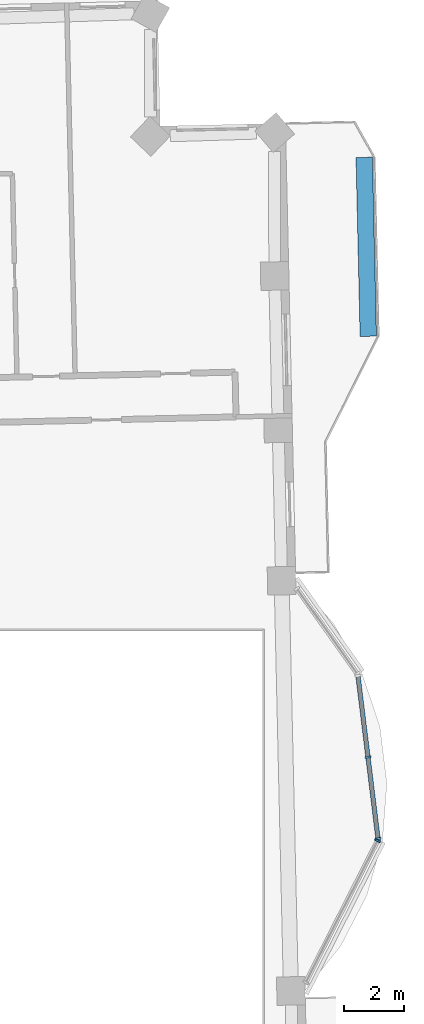
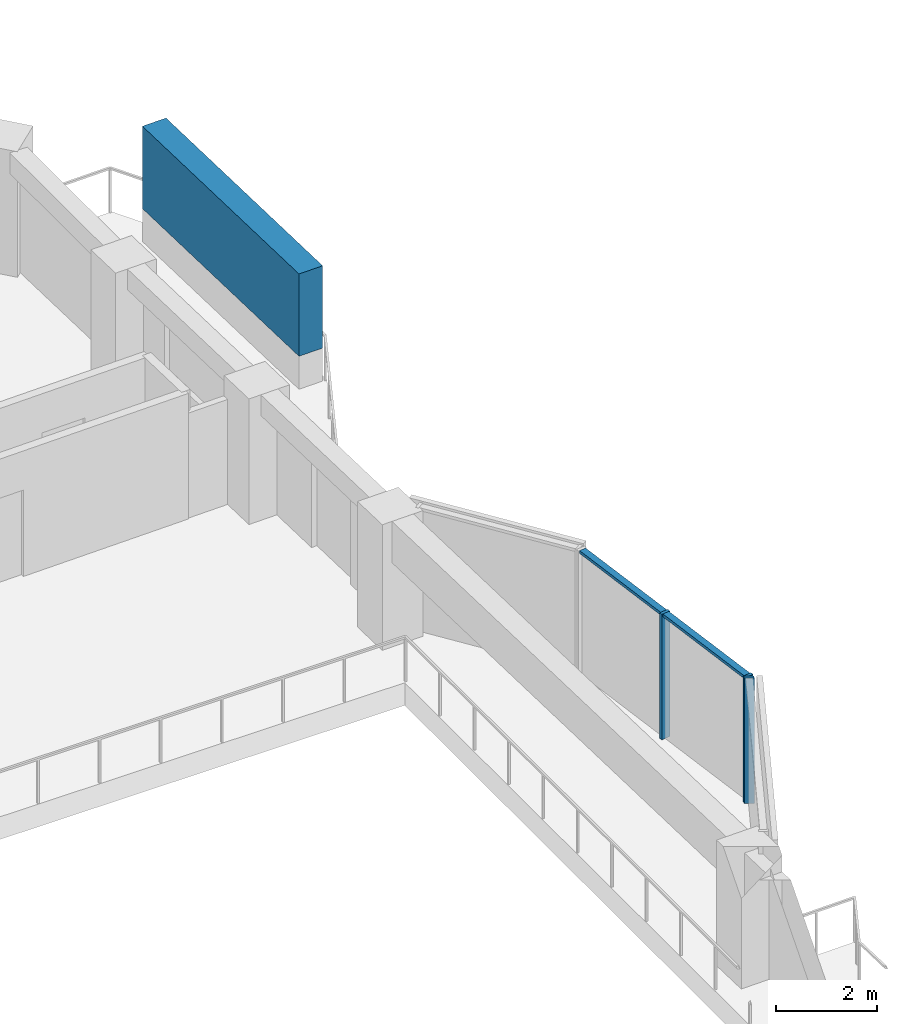
# One storey, part 6 of 20: 6 members, 2 elements without a shape of their own.
"""IFC4 building model written with IfcOpenShell, lengths in metres."""

from ifc_helpers import new_model, si_unit, direction, frame, origin, origin_2d, place, context, subcontext, project, spatial, rectangle, extrude, material, material_profile, profile_set, type_object, element, aggregate, save


model = new_model("IFC4")

# Units and contexts
model_context = context("Model", 3, precision=1e-05, world=origin(), true_north=direction((0.0, 1.0)))
body_context = subcontext(model_context, "Body", "Model", "MODEL_VIEW")
ifc_project = project(units=[si_unit("LENGTHUNIT", "METRE"), si_unit("AREAUNIT", "SQUARE_METRE"), si_unit("VOLUMEUNIT", "CUBIC_METRE"), si_unit("PLANEANGLEUNIT", "RADIAN"), si_unit("MASSUNIT", "GRAM", prefix="KILO")], contexts=[model_context])

# Site, building, storey
site_placement = place(None, origin())
site = spatial("IfcSite", under=ifc_project, at=site_placement, CompositionType="ELEMENT")
building_placement = place(site_placement, origin())
building = spatial("IfcBuilding", under=site, at=building_placement, Name="Mangrove Gate Tower", CompositionType="ELEMENT")
storey_placement = place(building_placement, frame((0.0, 0.0, 279.89990234375)))
storey = spatial("IfcBuildingStorey", under=building, at=storey_placement, Name="L71", CompositionType="ELEMENT", Elevation=279.89990234375)

# Curtain wall, member
ifc_material_1 = material(Name="Aluminium and glass curtain wall", Category="aluminium")
curtain_wall_type = type_object("IfcCurtainWallType", Name="Atrium garden-court glazing wall", PredefinedType="NOTDEFINED", material=ifc_material_1)
curtain_wall_1_placement = place(storey_placement, origin())
curtain_wall_1 = element("IfcCurtainWall", 1, at=curtain_wall_1_placement, inside=storey, type_object=curtain_wall_type, Name="Atrium garden-court glazing E1f1", PredefinedType="NOTDEFINED")
ifc_material_2 = material(Name="Aluminium alloy 6063-T6", Category="aluminium")
ifc_material_profile_1 = material_profile(ifc_material_2, rectangle(XDim=0.070068359375, YDim=0.199951171875, at=origin_2d()))
ifc_profile_set_1 = profile_set([ifc_material_profile_1], Name="Aluminium alloy 6063-T6")
member_type_1 = type_object("IfcMemberType", Name="Atrium garden-court glazing mullion 70x200", PredefinedType="MULLION", material=ifc_profile_set_1)
member_1_placement = place(storey_placement, frame((33.748046875, 0.474853515625, 0.0), z_axis=(0.0, 0.0, 1.0), x_axis=(0.452617386511, 0.891704828644, 0.0)))
member_1 = element("IfcMember", 2, at=member_1_placement, type_object=member_type_1, Name="CWA mullion 2", PredefinedType="MULLION", context=body_context, shape_type="SweptSolid", body=[
    extrude(rectangle(XDim=0.070068359375, YDim=0.199951171875, at=origin_2d()), origin(), (0.0, 0.0, 1.0), 3.050048828125),
])
aggregate(curtain_wall_1, [member_1])

# Curtain wall, members
curtain_wall_2_placement = place(storey_placement, origin())
curtain_wall_2 = element("IfcCurtainWall", 3, at=curtain_wall_2_placement, inside=storey, type_object=curtain_wall_type, Name="Atrium garden-court glazing E1f2", PredefinedType="NOTDEFINED")
member_2_placement = place(storey_placement, frame((33.759521484375, 0.540771484375, 0.0), z_axis=(0.0, 0.0, 1.0), x_axis=(-0.122172285885, 0.992508908051, 0.0)))
member_2 = element("IfcMember", 4, at=member_2_placement, type_object=member_type_1, Name="CWA mullion 1", PredefinedType="MULLION", context=body_context, shape_type="SweptSolid", body=[
    extrude(rectangle(XDim=0.070068359375, YDim=0.199951171875, at=origin_2d()), origin(), (0.0, 0.0, 1.0), 3.050048828125),
])
member_3_placement = place(storey_placement, frame((33.42333984375, 3.27197265625, 0.0), z_axis=(0.0, 0.0, 1.0), x_axis=(-0.122172285885, 0.992508908051, 0.0)))
member_3 = element("IfcMember", 5, at=member_3_placement, type_object=member_type_1, Name="CWA mullion 2", PredefinedType="MULLION", context=body_context, shape_type="SweptSolid", body=[
    extrude(rectangle(XDim=0.070068359375, YDim=0.199951171875, at=origin_2d()), origin(), (0.0, 0.0, 1.0), 3.050048828125),
])
ifc_material_3 = material(Name="Aluminium alloy 6063-T6", Category="aluminium")
ifc_material_profile_2 = material_profile(ifc_material_3, rectangle(XDim=0.070068359375, YDim=0.14990234375, at=origin_2d()))
ifc_profile_set_2 = profile_set([ifc_material_profile_2], Name="Aluminium alloy 6063-T6")
member_type_2 = type_object("IfcMemberType", Name="Atrium garden-court glazing transom 70x150", PredefinedType="USERDEFINED", material=ifc_profile_set_2)
member_4_placement = place(storey_placement, frame((33.75537109375, 0.575439453125, 3.01513671875), z_axis=(-0.122174517154, 0.992508633392, 0.0), x_axis=(0.0, 0.0, 1.0)))
member_4 = element("IfcMember", 6, at=member_4_placement, type_object=member_type_2, Name="CWA transom 1.2", ObjectType="TRANSOM", PredefinedType="USERDEFINED", context=body_context, shape_type="SweptSolid", body=[
    extrude(rectangle(XDim=0.070068359375, YDim=0.14990234375, at=origin_2d()), origin(), (0.0, 0.0, 1.0), 2.681640625),
])
member_5_placement = place(storey_placement, frame((33.419189453125, 3.306640625, 3.01513671875), z_axis=(-0.122174517154, 0.992508633392, 0.0), x_axis=(0.0, 0.0, 1.0)))
member_5 = element("IfcMember", 7, at=member_5_placement, type_object=member_type_2, Name="CWA transom 2.2", ObjectType="TRANSOM", PredefinedType="USERDEFINED", context=body_context, shape_type="SweptSolid", body=[
    extrude(rectangle(XDim=0.070068359375, YDim=0.14990234375, at=origin_2d()), origin(), (0.0, 0.0, 1.0), 2.681640625),
])
aggregate(curtain_wall_2, [member_2, member_3, member_4, member_5])

# Member
ifc_material_4 = material(Name="Planting on aluminium trellis", Category="aluminium")
ifc_material_profile_3 = material_profile(ifc_material_4, rectangle(XDim=0.550048828125, YDim=2.0, at=origin_2d()))
ifc_profile_set_3 = profile_set([ifc_material_profile_3], Name="Planting on aluminium trellis")
member_type_3 = type_object("IfcMemberType", Name="Balcony greenery screen 550x2000", PredefinedType="USERDEFINED", material=ifc_profile_set_3)
member_6_placement = place(storey_placement, frame((33.43408203125, 17.376953125, 1.800048828125), z_axis=(-0.022665943652, 0.999743094499, 0.0), x_axis=(-0.999743094499, -0.022665943652, 0.0)))
element("IfcMember", 8, at=member_6_placement, inside=storey, type_object=member_type_3, Name="GREEN SCREEN L71 E1.1", ObjectType="PLANTING", PredefinedType="USERDEFINED", context=body_context, shape_type="SweptSolid", body=[
    extrude(rectangle(XDim=0.550048828125, YDim=2.0, at=origin_2d()), origin(), (0.0, 0.0, 1.0), 5.99951171875),
])

save(model, "model.ifc")
